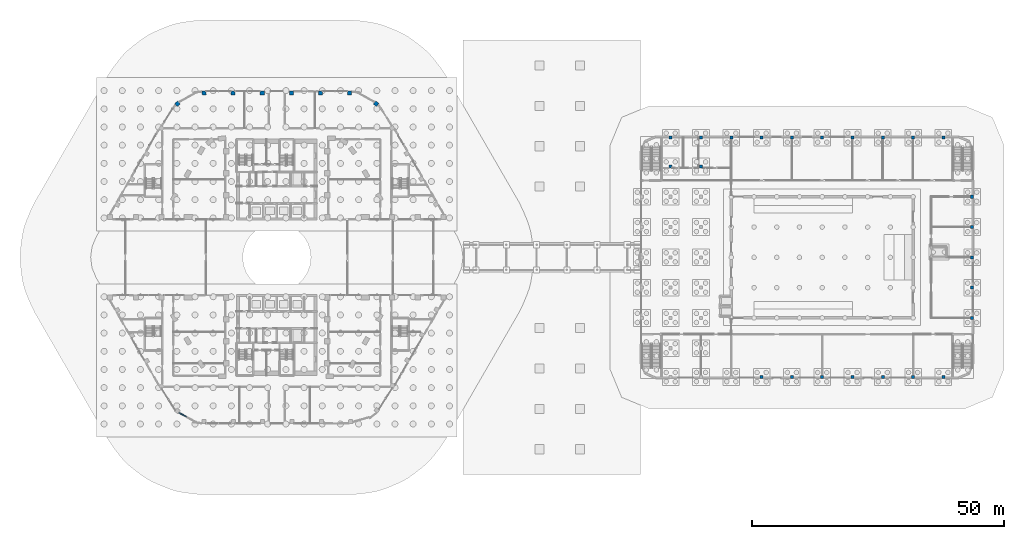
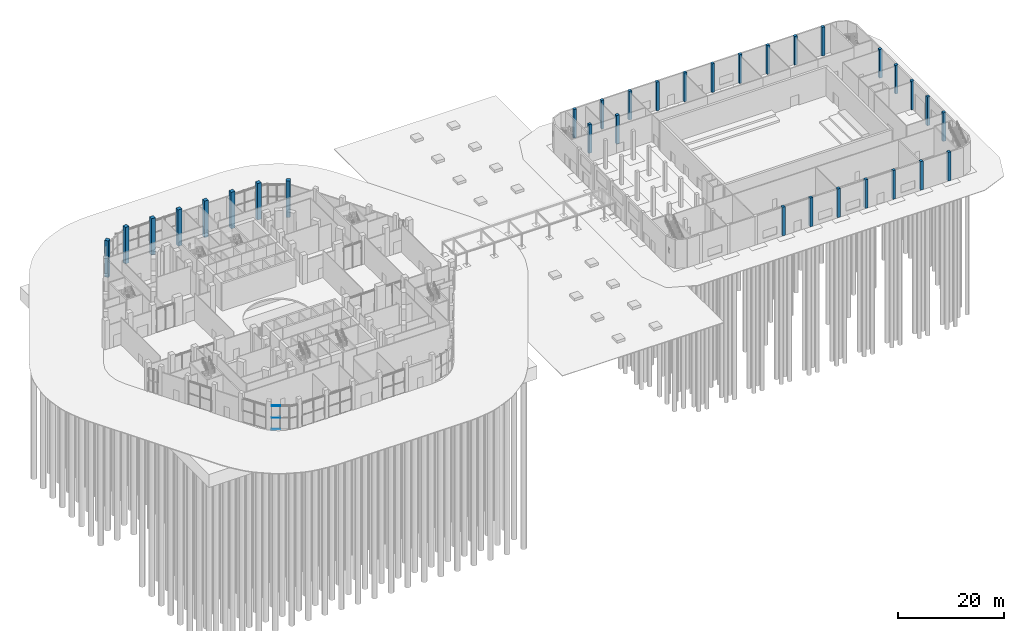
# One storey, part 7 of 44: 32 columns, 3 members, 1 element without a shape of its own.
"""IFC4 building model written with IfcOpenShell, lengths in metres."""

from ifc_helpers import new_model, si_unit, direction, frame, origin, origin_2d, place, context, subcontext, project, spatial, rectangle, extrude, material, layer, layer_set, material_profile, profile_set, type_object, element, aggregate, save


model = new_model("IFC4")

# Units and contexts
model_context = context("Model", 3, precision=1e-05, world=origin(), true_north=direction((0.0, 1.0)))
body_context = subcontext(model_context, "Body", "Model", "MODEL_VIEW")
ifc_project = project(units=[si_unit("LENGTHUNIT", "METRE"), si_unit("AREAUNIT", "SQUARE_METRE"), si_unit("VOLUMEUNIT", "CUBIC_METRE"), si_unit("PLANEANGLEUNIT", "RADIAN"), si_unit("MASSUNIT", "GRAM", prefix="KILO")], contexts=[model_context])

# Site, building, storey
site_placement = place(None, origin())
site = spatial("IfcSite", under=ifc_project, at=site_placement, CompositionType="ELEMENT")
building_placement = place(site_placement, origin())
building = spatial("IfcBuilding", under=site, at=building_placement, Name="Nakaniwa Court", CompositionType="ELEMENT")
storey_placement = place(building_placement, origin())
storey = spatial("IfcBuildingStorey", under=building, at=storey_placement, Name="L00", CompositionType="ELEMENT", Elevation=0.0)

# Columns
ifc_material_1 = material(Name="Concrete C100/115", Category="concrete")
ifc_material_profile_1 = material_profile(ifc_material_1, rectangle(XDim=0.800048828125, YDim=0.800048828125, at=origin_2d()), Name="Concrete C100/115 RC 800x800 podium skirt column")
ifc_profile_set_1 = profile_set([ifc_material_profile_1], Name="Concrete C100/115")
column_type_1 = type_object("IfcColumnType", Name="Concrete C100/115 RC 800x800 podium skirt column", PredefinedType="COLUMN", material=ifc_profile_set_1)
for number, where, z_axis, x_axis, name in (
    (1, (65.595703125, 112.550048828125, -1.800048828125), (0.0, 0.0, 1.0), (-0.991444861374, -0.13052619222, 0.0), "COLUMN CK-01"),
    (2, (60.32763671875, 110.41064453125, -1.800048828125), (0.0, 0.0, 1.0), (-0.793353340291, -0.608761429009, 0.0), "COLUMN CK-02"),
    (3, (99.660888671875, 110.41943359375, -1.800048828125), (0.0, 0.0, 1.0), (-0.793353340291, 0.608761429009, 0.0), "COLUMN CK-33"),
    (4, (94.404296875, 112.550048828125, -1.800048828125), (0.0, 0.0, 1.0), (-1.0, 0.0, 0.0), "COLUMN CK-34"),
    (5, (88.642578125, 112.550048828125, -1.800048828125), (0.0, 0.0, 1.0), (-1.0, 0.0, 0.0), "COLUMN CK-35"),
    (6, (82.880859375, 112.550048828125, -1.800048828125), (0.0, 0.0, 1.0), (-1.0, 0.0, 0.0), "COLUMN CK-36"),
    (7, (77.119140625, 112.550048828125, -1.800048828125), (0.0, 0.0, 1.0), (-1.0, 0.0, 0.0), "COLUMN CK-37"),
    (8, (71.357421875, 112.550048828125, -1.800048828125), (0.0, 0.0, 1.0), (-1.0, 0.0, 0.0), "COLUMN CK-38"),
):
    element("IfcColumn", number, at=place(storey_placement, frame(where, z_axis=z_axis, x_axis=x_axis)), inside=storey, type_object=column_type_1, Name=name, PredefinedType="COLUMN", context=body_context, shape_type="SweptSolid", body=[
        extrude(rectangle(XDim=0.800048828125, YDim=0.800048828125, at=origin_2d()), origin(), (0.0, 0.0, 1.0), 8.400146484375),
    ])
ifc_material_2 = material(Name="Concrete C50/60", Category="concrete")
ifc_material_profile_2 = material_profile(ifc_material_2, rectangle(XDim=0.60009765625, YDim=0.60009765625, at=origin_2d()), Name="RC 600x600")
ifc_profile_set_2 = profile_set([ifc_material_profile_2], Name="Concrete C50/60")
column_type_2 = type_object("IfcColumnType", Name="Hall column RC 600x600 C50/60", PredefinedType="COLUMN", material=ifc_profile_set_2)
for number, where, z_axis, x_axis, name in (
    (9, (158.0, 103.699951171875, 0.0), (0.0, 0.0, 1.0), (1.0, 0.0, 0.0), "Hall column N1 L00"),
    (10, (164.0, 103.699951171875, 0.0), (0.0, 0.0, 1.0), (1.0, 0.0, 0.0), "Hall column N2 L00"),
    (11, (170.0, 103.699951171875, 0.0), (0.0, 0.0, 1.0), (1.0, 0.0, 0.0), "Hall column N3 L00"),
    (12, (176.0, 56.300048828125, 0.0), (0.0, 0.0, 1.0), (1.0, 0.0, 0.0), "Hall column S4 L00"),
    (13, (176.0, 103.699951171875, 0.0), (0.0, 0.0, 1.0), (1.0, 0.0, 0.0), "Hall column N4 L00"),
    (14, (182.0, 56.300048828125, 0.0), (0.0, 0.0, 1.0), (1.0, 0.0, 0.0), "Hall column S5 L00"),
    (15, (182.0, 103.699951171875, 0.0), (0.0, 0.0, 1.0), (1.0, 0.0, 0.0), "Hall column N5 L00"),
    (16, (188.0, 56.300048828125, 0.0), (0.0, 0.0, 1.0), (1.0, 0.0, 0.0), "Hall column S6 L00"),
    (17, (188.0, 103.699951171875, 0.0), (0.0, 0.0, 1.0), (1.0, 0.0, 0.0), "Hall column N6 L00"),
    (18, (194.0, 56.300048828125, 0.0), (0.0, 0.0, 1.0), (1.0, 0.0, 0.0), "Hall column S7 L00"),
    (19, (194.0, 103.699951171875, 0.0), (0.0, 0.0, 1.0), (1.0, 0.0, 0.0), "Hall column N7 L00"),
    (20, (200.0, 56.300048828125, 0.0), (0.0, 0.0, 1.0), (1.0, 0.0, 0.0), "Hall column S8 L00"),
    (21, (200.0, 103.699951171875, 0.0), (0.0, 0.0, 1.0), (1.0, 0.0, 0.0), "Hall column N8 L00"),
    (22, (206.0, 56.300048828125, 0.0), (0.0, 0.0, 1.0), (1.0, 0.0, 0.0), "Hall column S9 L00"),
    (23, (206.0, 103.699951171875, 0.0), (0.0, 0.0, 1.0), (1.0, 0.0, 0.0), "Hall column N9 L00"),
    (24, (212.0, 56.300048828125, 0.0), (0.0, 0.0, 1.0), (1.0, 0.0, 0.0), "Hall column S10 L00"),
    (25, (212.0, 103.699951171875, 0.0), (0.0, 0.0, 1.0), (1.0, 0.0, 0.0), "Hall column N10 L00"),
    (26, (217.699951171875, 68.0, 0.0), (0.0, 0.0, 1.0), (1.0, 0.0, 0.0), "Hall column E2 L00"),
    (27, (217.699951171875, 74.0, 0.0), (0.0, 0.0, 1.0), (1.0, 0.0, 0.0), "Hall column E3 L00"),
    (28, (217.699951171875, 80.0, 0.0), (0.0, 0.0, 1.0), (1.0, 0.0, 0.0), "Hall column E4 L00"),
    (29, (217.699951171875, 86.0, 0.0), (0.0, 0.0, 1.0), (1.0, 0.0, 0.0), "Hall column E5 L00"),
    (30, (217.699951171875, 92.0, 0.0), (0.0, 0.0, 1.0), (1.0, 0.0, 0.0), "Hall column E6 L00"),
    (31, (158.0, 98.0, 0.0), (0.0, 0.0, 1.0), (1.0, 0.0, 0.0), "Hall column F1-7 L00"),
    (32, (164.0, 98.0, 0.0), (0.0, 0.0, 1.0), (1.0, 0.0, 0.0), "Hall column F2-7 L00"),
):
    element("IfcColumn", number, at=place(storey_placement, frame(where, z_axis=z_axis, x_axis=x_axis)), inside=storey, type_object=column_type_2, Name=name, PredefinedType="COLUMN", context=body_context, shape_type="SweptSolid", body=[
        extrude(rectangle(XDim=0.60009765625, YDim=0.60009765625, at=origin_2d()), origin(), (0.0, 0.0, 1.0), 6.60009765625),
    ])

# Curtain wall, members
ifc_material_3 = material(Name="Black anodised aluminium frame with dark low-E laminated double glazing", Category="aluminium")
ifc_layer = layer(ifc_material_3, 0.199951171875)
ifc_layer_set = layer_set([ifc_layer], Name="Black anodised aluminium frame with dark low-E laminated double glazing")
curtain_wall_type = type_object("IfcCurtainWallType", Name="Concourse stick curtain wall", PredefinedType="NOTDEFINED", material=ifc_layer_set)
curtain_wall_placement = place(storey_placement, origin())
curtain_wall = element("IfcCurtainWall", 33, at=curtain_wall_placement, inside=storey, type_object=curtain_wall_type, Name="L00 curtain wall CW2 17", PredefinedType="NOTDEFINED")
ifc_material_4 = material(Name="Black anodised aluminium extrusion", Category="aluminium")
ifc_material_profile_3 = material_profile(ifc_material_4, rectangle(XDim=0.199951171875, YDim=0.06005859375, at=origin_2d()), Name="Concourse stick curtain wall transom 60x200")
ifc_profile_set_3 = profile_set([ifc_material_profile_3], Name="Black anodised aluminium extrusion")
member_type = type_object("IfcMemberType", Name="Concourse stick curtain wall transom 60x200", PredefinedType="USERDEFINED", material=ifc_profile_set_3)
member_1_placement = place(storey_placement, frame((60.629150390625, 49.221923828125, 0.030029296875), z_axis=(0.876429369135, -0.481530436128, 0.0), x_axis=(0.481530436128, 0.876429369135, 0.0)))
member_1 = element("IfcMember", 34, at=member_1_placement, type_object=member_type, Name="CW2 transom 1.1", ObjectType="TRANSOM", PredefinedType="USERDEFINED", context=body_context, shape_type="SweptSolid", body=[
    extrude(rectangle(XDim=0.199951171875, YDim=0.06005859375, at=origin_2d()), origin(), (0.0, 0.0, 1.0), 1.66552734375),
])
member_2_placement = place(storey_placement, frame((60.629150390625, 49.221923828125, 2.699951171875), z_axis=(0.876429369135, -0.481530436128, 0.0), x_axis=(0.481530436128, 0.876429369135, 0.0)))
member_2 = element("IfcMember", 35, at=member_2_placement, type_object=member_type, Name="CW2 transom 1.2", ObjectType="TRANSOM", PredefinedType="USERDEFINED", context=body_context, shape_type="SweptSolid", body=[
    extrude(rectangle(XDim=0.199951171875, YDim=0.06005859375, at=origin_2d()), origin(), (0.0, 0.0, 1.0), 1.66552734375),
])
member_3_placement = place(storey_placement, frame((60.629150390625, 49.221923828125, 5.3701171875), z_axis=(0.876429369135, -0.481530436128, 0.0), x_axis=(0.481530436128, 0.876429369135, 0.0)))
member_3 = element("IfcMember", 36, at=member_3_placement, type_object=member_type, Name="CW2 transom 1.3", ObjectType="TRANSOM", PredefinedType="USERDEFINED", context=body_context, shape_type="SweptSolid", body=[
    extrude(rectangle(XDim=0.199951171875, YDim=0.06005859375, at=origin_2d()), origin(), (0.0, 0.0, 1.0), 1.66552734375),
])
aggregate(curtain_wall, [member_1, member_2, member_3])

save(model, "model.ifc")
